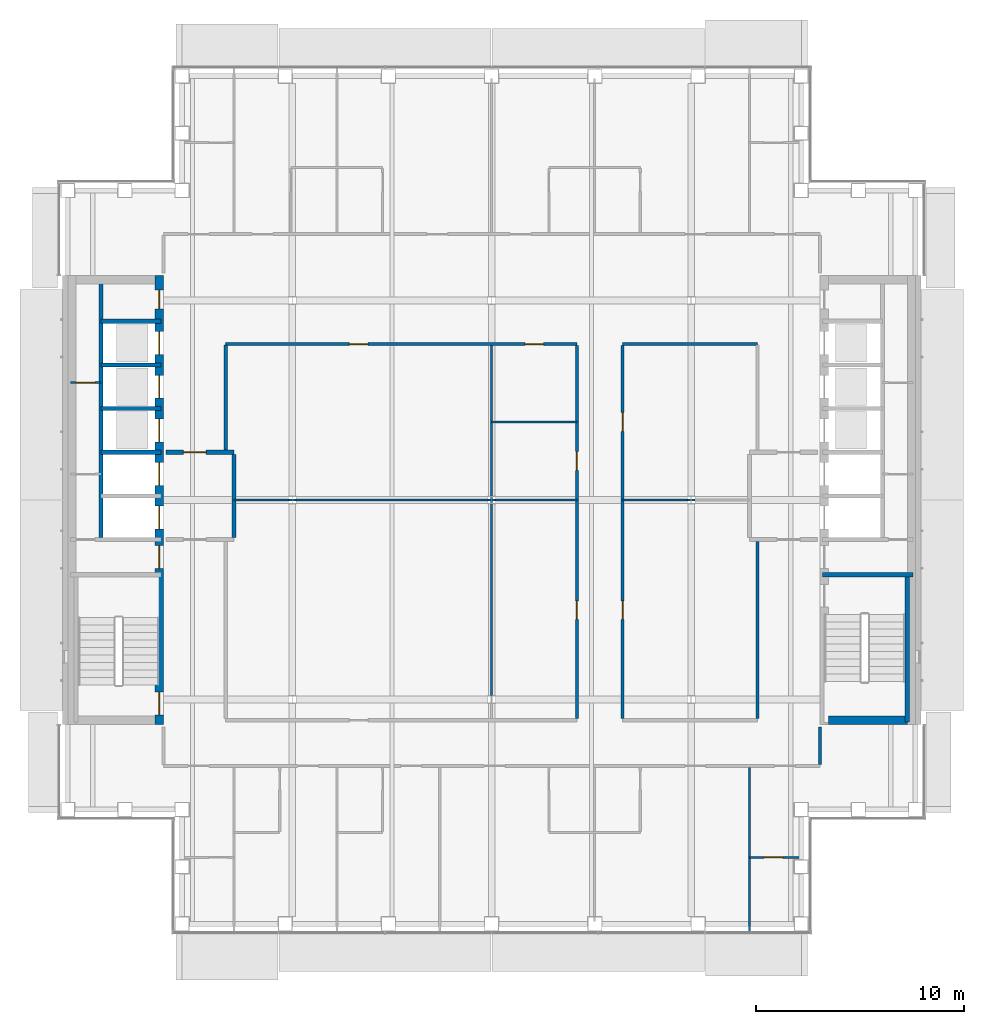
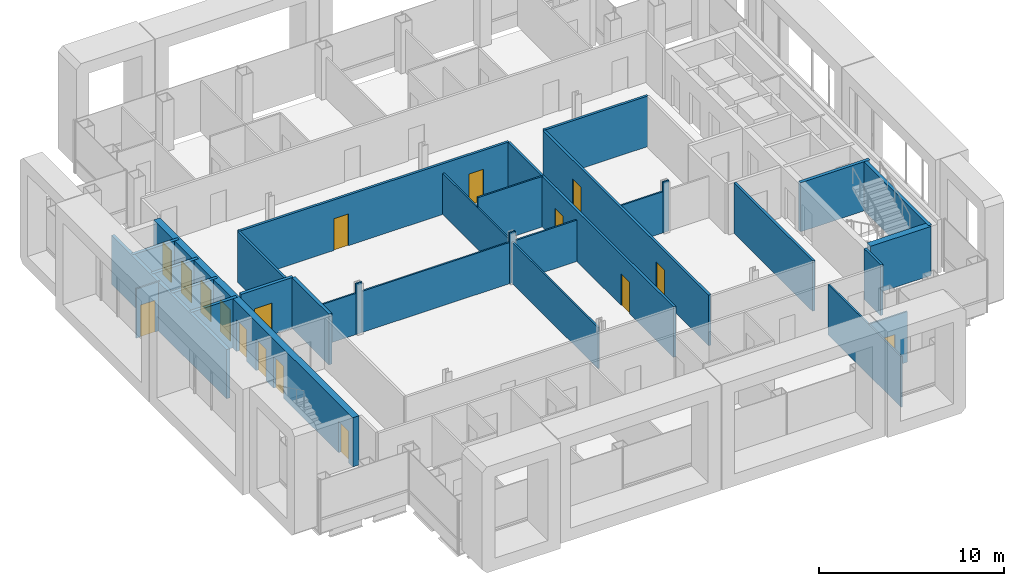
# One storey, part 10 of 19: 31 walls, 17 doors, 17 openings.
"""IFC4 building model written with IfcOpenShell, lengths in metres."""

from ifc_helpers import new_model, si_unit, direction, frame, frame_2d, origin, place, context, subcontext, project, spatial, rectangle, extrude, material, layer, layer_set, type_object, element, fill, save


model = new_model("IFC4")

# Units and contexts
model_context = context("Model", 3, precision=1e-05, world=origin(), true_north=direction((0.0, 1.0)))
body_context = subcontext(model_context, "Body", "Model", "MODEL_VIEW")
ifc_project = project(units=[si_unit("LENGTHUNIT", "METRE"), si_unit("AREAUNIT", "SQUARE_METRE"), si_unit("VOLUMEUNIT", "CUBIC_METRE"), si_unit("PLANEANGLEUNIT", "RADIAN"), si_unit("MASSUNIT", "GRAM", prefix="KILO")], contexts=[model_context])

# Site, building, storey
site_placement = place(None, origin())
site = spatial("IfcSite", under=ifc_project, at=site_placement, CompositionType="ELEMENT")
building_placement = place(site_placement, origin())
building = spatial("IfcBuilding", under=site, at=building_placement, Name="Cobrizo Arcos Hotel Tower", CompositionType="ELEMENT")
storey_placement = place(building_placement, frame((0.0, 0.0, 198.0)))
storey = spatial("IfcBuildingStorey", under=building, at=storey_placement, Name="L51", CompositionType="ELEMENT", Elevation=198.0)

# Wall, openings, doors
ifc_material_1 = material(Name="Gypsum board partition")
ifc_layer_1 = layer(ifc_material_1, 0.14990234375)
ifc_layer_set_1 = layer_set([ifc_layer_1], Name="Corridor wall EI 60 150")
wall_type_1 = type_object("IfcWallType", Name="Corridor wall EI 60 150", PredefinedType="PARTITIONING", material=ifc_layer_set_1)
wall_1_placement = place(storey_placement, frame((-12.800048828125, 7.5, 0.0), z_axis=(0.0, 0.0, 1.0), x_axis=(1.0, 0.0, 0.0)))
wall_1 = element("IfcWall", 1, at=wall_1_placement, inside=storey, type_object=wall_type_1, Name="Partition 038", PredefinedType="PARTITIONING", context=body_context, shape_type="SweptSolid", body=[
    extrude(rectangle(XDim=16.900146484375, YDim=0.14990234375, at=frame_2d((8.4501953125, 0.0))), origin(), (0.0, 0.0, 1.0), 3.35009765625),
])
opening_1_placement = place(wall_1_placement, frame((14.39990234375, 0.0, 0.0)))
opening_1 = element("IfcOpeningElement", 2, at=opening_1_placement, cuts=wall_1, Name="Opening ED-14", PredefinedType="OPENING", context=body_context, shape_type="SweptSolid", body=[
    extrude(rectangle(XDim=0.89990234375, YDim=2.10009765625, at=frame_2d((0.449951171875, 1.050048828125))), frame((0.0, 0.0869140625, 0.0), z_axis=(0.0, -1.0, 0.0), x_axis=(1.0, 0.0, 0.0)), (0.0, 0.0, 1.0), 0.173828125),
])
opening_2_placement = place(wall_1_placement, frame((5.949951171875, 0.0, 0.0)))
opening_2 = element("IfcOpeningElement", 3, at=opening_2_placement, cuts=wall_1, Name="Opening RD-12", PredefinedType="OPENING", context=body_context, shape_type="SweptSolid", body=[
    extrude(rectangle(XDim=0.89990234375, YDim=2.10009765625, at=frame_2d((0.449951171875, 1.050048828125))), frame((0.0, 0.0869140625, 0.0), z_axis=(0.0, -1.0, 0.0), x_axis=(1.0, 0.0, 0.0)), (0.0, 0.0, 1.0), 0.173828125),
])
ifc_material_2 = material(Name="Timber door leaf", Category="wood")
door_type_1 = type_object("IfcDoorType", Name="En-suite door 900x2100", OperationType="SINGLE_SWING_LEFT", PredefinedType="DOOR", material=ifc_material_2)
door_1_placement = place(opening_1_placement, origin())
door_1 = element("IfcDoor", 4, at=door_1_placement, inside=storey, type_object=door_type_1, Name="Door ED-14", OperationType="SINGLE_SWING_RIGHT", OverallHeight=2.10009765625, OverallWidth=0.89990234375, PredefinedType="DOOR", context=body_context, shape_type="SweptSolid", body=[
    extrude(rectangle(XDim=0.89990234375, YDim=2.10009765625, at=frame_2d((0.449951171875, 1.050048828125))), frame((0.0, 0.02490234375, 0.0), z_axis=(0.0, -1.0, 0.0), x_axis=(1.0, 0.0, 0.0)), (0.0, 0.0, 1.0), 0.050048828125),
])
fill(opening_1, door_1)
door_type_2 = type_object("IfcDoorType", Name="Room door FD30 900x2100", OperationType="SINGLE_SWING_LEFT", PredefinedType="DOOR", material=ifc_material_2)
door_2_placement = place(opening_2_placement, origin())
door_2 = element("IfcDoor", 5, at=door_2_placement, inside=storey, type_object=door_type_2, Name="Door RD-12", OperationType="SINGLE_SWING_RIGHT", OverallHeight=2.10009765625, OverallWidth=0.89990234375, PredefinedType="DOOR", context=body_context, shape_type="SweptSolid", body=[
    extrude(rectangle(XDim=0.89990234375, YDim=2.10009765625, at=frame_2d((0.449951171875, 1.050048828125))), frame((0.0, 0.02490234375, 0.0), z_axis=(0.0, -1.0, 0.0), x_axis=(1.0, 0.0, 0.0)), (0.0, 0.0, 1.0), 0.050048828125),
])
fill(opening_2, door_2)

# Walls
wall_2_placement = place(storey_placement, frame((6.300048828125, 7.5, 0.0), z_axis=(0.0, 0.0, 1.0), x_axis=(1.0, 0.0, 0.0)))
element("IfcWall", 6, at=wall_2_placement, inside=storey, type_object=wall_type_1, Name="Partition 039", PredefinedType="PARTITIONING", context=body_context, shape_type="SweptSolid", body=[
    extrude(rectangle(XDim=6.5, YDim=0.14990234375, at=frame_2d((3.25, 0.0))), origin(), (0.0, 0.0, 1.0), 3.35009765625),
])
wall_3_placement = place(storey_placement, frame((-12.800048828125, 2.39990234375, 0.0), z_axis=(0.0, 0.0, 1.0), x_axis=(0.0, 1.0, 0.0)))
element("IfcWall", 7, at=wall_3_placement, inside=storey, type_object=wall_type_1, Name="Partition 052", PredefinedType="PARTITIONING", context=body_context, shape_type="SweptSolid", body=[
    extrude(rectangle(XDim=5.050048828125, YDim=0.14990234375, at=frame_2d((2.52490234375, 0.0))), origin(), (0.0, 0.0, 1.0), 3.35009765625),
])

# Wall, openings, doors
wall_4_placement = place(storey_placement, frame((4.10009765625, -10.52490234375, 0.0), z_axis=(0.0, 0.0, 1.0), x_axis=(0.0, 1.0, 0.0)))
wall_4 = element("IfcWall", 8, at=wall_4_placement, inside=storey, type_object=wall_type_1, Name="Partition 071", PredefinedType="PARTITIONING", context=body_context, shape_type="SweptSolid", body=[
    extrude(rectangle(XDim=17.949951171875, YDim=0.14990234375, at=frame_2d((8.97509765625, 0.0))), origin(), (0.0, 0.0, 1.0), 3.35009765625),
])
opening_3_placement = place(wall_4_placement, frame((11.949951171875, 0.0, 0.0)))
opening_3 = element("IfcOpeningElement", 9, at=opening_3_placement, cuts=wall_4, Name="Opening ED-13", PredefinedType="OPENING", context=body_context, shape_type="SweptSolid", body=[
    extrude(rectangle(XDim=0.89990234375, YDim=2.10009765625, at=frame_2d((0.449951171875, 1.050048828125))), frame((0.0, 0.0869140625, 0.0), z_axis=(0.0, -1.0, 0.0), x_axis=(1.0, 0.0, 0.0)), (0.0, 0.0, 1.0), 0.173828125),
])
opening_4_placement = place(wall_4_placement, frame((4.77490234375, 0.0, 0.0)))
opening_4 = element("IfcOpeningElement", 10, at=opening_4_placement, cuts=wall_4, Name="Opening RD-09", PredefinedType="OPENING", context=body_context, shape_type="SweptSolid", body=[
    extrude(rectangle(XDim=0.89990234375, YDim=2.10009765625, at=frame_2d((0.449951171875, 1.050048828125))), frame((0.0, 0.0869140625, 0.0), z_axis=(0.0, -1.0, 0.0), x_axis=(1.0, 0.0, 0.0)), (0.0, 0.0, 1.0), 0.173828125),
])
door_3_placement = place(opening_3_placement, origin())
door_3 = element("IfcDoor", 11, at=door_3_placement, inside=storey, type_object=door_type_1, Name="Door ED-13", OperationType="SINGLE_SWING_RIGHT", OverallHeight=2.10009765625, OverallWidth=0.89990234375, PredefinedType="DOOR", context=body_context, shape_type="SweptSolid", body=[
    extrude(rectangle(XDim=0.89990234375, YDim=2.10009765625, at=frame_2d((0.449951171875, 1.050048828125))), frame((0.0, 0.02490234375, 0.0), z_axis=(0.0, -1.0, 0.0), x_axis=(1.0, 0.0, 0.0)), (0.0, 0.0, 1.0), 0.050048828125),
])
fill(opening_3, door_3)
door_4_placement = place(opening_4_placement, origin())
door_4 = element("IfcDoor", 12, at=door_4_placement, inside=storey, type_object=door_type_2, Name="Door RD-09", OperationType="SINGLE_SWING_RIGHT", OverallHeight=2.10009765625, OverallWidth=0.89990234375, PredefinedType="DOOR", context=body_context, shape_type="SweptSolid", body=[
    extrude(rectangle(XDim=0.89990234375, YDim=2.10009765625, at=frame_2d((0.449951171875, 1.050048828125))), frame((0.0, 0.02490234375, 0.0), z_axis=(0.0, -1.0, 0.0), x_axis=(1.0, 0.0, 0.0)), (0.0, 0.0, 1.0), 0.050048828125),
])
fill(opening_4, door_4)

wall_5_placement = place(storey_placement, frame((6.300048828125, -10.52490234375, 0.0), z_axis=(0.0, 0.0, 1.0), x_axis=(0.0, 1.0, 0.0)))
wall_5 = element("IfcWall", 13, at=wall_5_placement, inside=storey, type_object=wall_type_1, Name="Partition 076", PredefinedType="PARTITIONING", context=body_context, shape_type="SweptSolid", body=[
    extrude(rectangle(XDim=17.949951171875, YDim=0.14990234375, at=frame_2d((8.97509765625, 0.0))), origin(), (0.0, 0.0, 1.0), 3.35009765625),
])
opening_5_placement = place(wall_5_placement, frame((13.824951171875, 0.0, 0.0)))
opening_5 = element("IfcOpeningElement", 14, at=opening_5_placement, cuts=wall_5, Name="Opening RD-10", PredefinedType="OPENING", context=body_context, shape_type="SweptSolid", body=[
    extrude(rectangle(XDim=0.89990234375, YDim=2.10009765625, at=frame_2d((0.449951171875, 1.050048828125))), frame((0.0, 0.0869140625, 0.0), z_axis=(0.0, -1.0, 0.0), x_axis=(1.0, 0.0, 0.0)), (0.0, 0.0, 1.0), 0.173828125),
])
opening_6_placement = place(wall_5_placement, frame((4.77490234375, 0.0, 0.0)))
opening_6 = element("IfcOpeningElement", 15, at=opening_6_placement, cuts=wall_5, Name="Opening RD-11", PredefinedType="OPENING", context=body_context, shape_type="SweptSolid", body=[
    extrude(rectangle(XDim=0.89990234375, YDim=2.10009765625, at=frame_2d((0.449951171875, 1.050048828125))), frame((0.0, 0.0869140625, 0.0), z_axis=(0.0, -1.0, 0.0), x_axis=(1.0, 0.0, 0.0)), (0.0, 0.0, 1.0), 0.173828125),
])
door_5_placement = place(opening_5_placement, origin())
door_5 = element("IfcDoor", 16, at=door_5_placement, inside=storey, type_object=door_type_2, Name="Door RD-10", OperationType="SINGLE_SWING_RIGHT", OverallHeight=2.10009765625, OverallWidth=0.89990234375, PredefinedType="DOOR", context=body_context, shape_type="SweptSolid", body=[
    extrude(rectangle(XDim=0.89990234375, YDim=2.10009765625, at=frame_2d((0.449951171875, 1.050048828125))), frame((0.0, 0.02490234375, 0.0), z_axis=(0.0, -1.0, 0.0), x_axis=(1.0, 0.0, 0.0)), (0.0, 0.0, 1.0), 0.050048828125),
])
fill(opening_5, door_5)
door_6_placement = place(opening_6_placement, origin())
door_6 = element("IfcDoor", 17, at=door_6_placement, inside=storey, type_object=door_type_2, Name="Door RD-11", OperationType="SINGLE_SWING_LEFT", OverallHeight=2.10009765625, OverallWidth=0.89990234375, PredefinedType="DOOR", context=body_context, shape_type="SweptSolid", body=[
    extrude(rectangle(XDim=0.89990234375, YDim=2.10009765625, at=frame_2d((0.449951171875, 1.050048828125))), frame((0.0, 0.02490234375, 0.0), z_axis=(0.0, -1.0, 0.0), x_axis=(1.0, 0.0, 0.0)), (0.0, 0.0, 1.0), 0.050048828125),
])
fill(opening_6, door_6)

# Walls
wall_6_placement = place(storey_placement, frame((12.800048828125, -10.52490234375, 0.0), z_axis=(0.0, 0.0, 1.0), x_axis=(0.0, 1.0, 0.0)))
element("IfcWall", 18, at=wall_6_placement, inside=storey, type_object=wall_type_1, Name="Partition 082", PredefinedType="PARTITIONING", context=body_context, shape_type="SweptSolid", body=[
    extrude(rectangle(XDim=8.52490234375, YDim=0.14990234375, at=frame_2d((4.262451171875, 0.0))), origin(), (0.0, 0.0, 1.0), 3.35009765625),
])
wall_7_placement = place(storey_placement, frame((15.800048828125, -12.72509765625, 0.0), z_axis=(0.0, 0.0, 1.0), x_axis=(0.0, 1.0, 0.0)))
element("IfcWall", 19, at=wall_7_placement, inside=storey, type_object=wall_type_1, Name="Partition 084", PredefinedType="PARTITIONING", context=body_context, shape_type="SweptSolid", body=[
    extrude(rectangle(XDim=1.80517578125, YDim=0.14990234375, at=frame_2d((0.902587890625, 0.0))), origin(), (0.0, 0.0, 1.0), 3.35009765625),
])

# Wall, opening, door
ifc_layer_2 = layer(ifc_material_1, 0.10009765625)
ifc_layer_set_2 = layer_set([ifc_layer_2], Name="Partition EI 30 100")
wall_type_2 = type_object("IfcWallType", Name="Partition EI 30 100", PredefinedType="PARTITIONING", material=ifc_layer_set_2)
wall_8_placement = place(storey_placement, frame((12.39990234375, -17.199951171875, 0.0), z_axis=(0.0, 0.0, 1.0), x_axis=(1.0, 0.0, 0.0)))
wall_8 = element("IfcWall", 20, at=wall_8_placement, inside=storey, type_object=wall_type_2, Name="Partition 002", PredefinedType="PARTITIONING", context=body_context, shape_type="SweptSolid", body=[
    extrude(rectangle(XDim=2.380126953125, YDim=0.10009765625, at=frame_2d((1.18994140625, 0.0))), origin(), (0.0, 0.0, 1.0), 3.35009765625),
])
opening_7_placement = place(wall_8_placement, frame((0.705078125, 0.0, 0.0)))
opening_7 = element("IfcOpeningElement", 21, at=opening_7_placement, cuts=wall_8, Name="Opening ED-11", PredefinedType="OPENING", context=body_context, shape_type="SweptSolid", body=[
    extrude(rectangle(XDim=0.89990234375, YDim=2.10009765625, at=frame_2d((0.449951171875, 1.050048828125))), frame((0.0, 0.06201171875, 0.0), z_axis=(0.0, -1.0, 0.0), x_axis=(1.0, 0.0, 0.0)), (0.0, 0.0, 1.0), 0.1240234375),
])
door_7_placement = place(opening_7_placement, origin())
door_7 = element("IfcDoor", 22, at=door_7_placement, inside=storey, type_object=door_type_1, Name="Door ED-11", OperationType="SINGLE_SWING_LEFT", OverallHeight=2.10009765625, OverallWidth=0.89990234375, PredefinedType="DOOR", context=body_context, shape_type="SweptSolid", body=[
    extrude(rectangle(XDim=0.89990234375, YDim=2.10009765625, at=frame_2d((0.449951171875, 1.050048828125))), frame((0.0, 0.02490234375, 0.0), z_axis=(0.0, -1.0, 0.0), x_axis=(1.0, 0.0, 0.0)), (0.0, 0.0, 1.0), 0.050048828125),
])
fill(opening_7, door_7)

# Walls
wall_9_placement = place(storey_placement, frame((-12.39990234375, 0.0, 0.0), z_axis=(0.0, 0.0, 1.0), x_axis=(1.0, 0.0, 0.0)))
element("IfcWall", 23, at=wall_9_placement, inside=storey, type_object=wall_type_2, Name="Partition 015", PredefinedType="PARTITIONING", context=body_context, shape_type="SweptSolid", body=[
    extrude(rectangle(XDim=2.61279296875, YDim=0.10009765625, at=frame_2d((1.306396484375, 0.0))), origin(), (0.0, 0.0, 1.0), 2.72802734375),
])
wall_10_placement = place(storey_placement, frame((-9.787109375, 0.0, 0.0), z_axis=(0.0, 0.0, 1.0), x_axis=(1.0, 0.0, 0.0)))
element("IfcWall", 24, at=wall_10_placement, inside=storey, type_object=wall_type_2, Name="Partition 016", PredefinedType="PARTITIONING", context=body_context, shape_type="SweptSolid", body=[
    extrude(rectangle(XDim=0.3740234375, YDim=0.10009765625, at=frame_2d((0.18701171875, 0.0))), origin(), (0.0, 0.0, 1.0), 3.35009765625),
])
wall_11_placement = place(storey_placement, frame((-9.4130859375, 0.0, 0.0), z_axis=(0.0, 0.0, 1.0), x_axis=(1.0, 0.0, 0.0)))
element("IfcWall", 25, at=wall_11_placement, inside=storey, type_object=wall_type_2, Name="Partition 017", PredefinedType="PARTITIONING", context=body_context, shape_type="SweptSolid", body=[
    extrude(rectangle(XDim=9.22607421875, YDim=0.10009765625, at=frame_2d((4.613037109375, 0.0))), origin(), (0.0, 0.0, 1.0), 2.72802734375),
])
wall_12_placement = place(storey_placement, frame((-0.18701171875, 0.0, 0.0), z_axis=(0.0, 0.0, 1.0), x_axis=(1.0, 0.0, 0.0)))
element("IfcWall", 26, at=wall_12_placement, inside=storey, type_object=wall_type_2, Name="Partition 018", PredefinedType="PARTITIONING", context=body_context, shape_type="SweptSolid", body=[
    extrude(rectangle(XDim=0.3740234375, YDim=0.10009765625, at=frame_2d((0.18701171875, 0.0))), origin(), (0.0, 0.0, 1.0), 3.35009765625),
])
wall_13_placement = place(storey_placement, frame((0.18701171875, 0.0, 0.0), z_axis=(0.0, 0.0, 1.0), x_axis=(1.0, 0.0, 0.0)))
element("IfcWall", 27, at=wall_13_placement, inside=storey, type_object=wall_type_2, Name="Partition 019", PredefinedType="PARTITIONING", context=body_context, shape_type="SweptSolid", body=[
    extrude(rectangle(XDim=3.9130859375, YDim=0.10009765625, at=frame_2d((1.95654296875, 0.0))), origin(), (0.0, 0.0, 1.0), 2.72802734375),
])
wall_14_placement = place(storey_placement, frame((6.300048828125, 0.0, 0.0), z_axis=(0.0, 0.0, 1.0), x_axis=(1.0, 0.0, 0.0)))
element("IfcWall", 28, at=wall_14_placement, inside=storey, type_object=wall_type_2, Name="Partition 020", PredefinedType="PARTITIONING", context=body_context, shape_type="SweptSolid", body=[
    extrude(rectangle(XDim=3.113037109375, YDim=0.10009765625, at=frame_2d((1.556640625, 0.0))), origin(), (0.0, 0.0, 1.0), 2.72802734375),
])
wall_15_placement = place(storey_placement, frame((9.4130859375, 0.0, 0.0), z_axis=(0.0, 0.0, 1.0), x_axis=(1.0, 0.0, 0.0)))
element("IfcWall", 29, at=wall_15_placement, inside=storey, type_object=wall_type_2, Name="Partition 021", PredefinedType="PARTITIONING", context=body_context, shape_type="SweptSolid", body=[
    extrude(rectangle(XDim=0.3740234375, YDim=0.10009765625, at=frame_2d((0.18701171875, 0.0))), origin(), (0.0, 0.0, 1.0), 3.35009765625),
])
wall_16_placement = place(storey_placement, frame((0.0, 3.75, 0.0), z_axis=(0.0, 0.0, 1.0), x_axis=(1.0, 0.0, 0.0)))
element("IfcWall", 30, at=wall_16_placement, inside=storey, type_object=wall_type_2, Name="Partition 031", PredefinedType="PARTITIONING", context=body_context, shape_type="SweptSolid", body=[
    extrude(rectangle(XDim=4.10009765625, YDim=0.10009765625, at=frame_2d((2.050048828125, 0.0))), origin(), (0.0, 0.0, 1.0), 3.35009765625),
])

# Wall, opening, door
wall_17_placement = place(storey_placement, frame((-20.280029296875, 5.64990234375, 0.0), z_axis=(0.0, 0.0, 1.0), x_axis=(1.0, 0.0, 0.0)))
wall_17 = element("IfcWall", 31, at=wall_17_placement, inside=storey, type_object=wall_type_2, Name="Partition 034", PredefinedType="PARTITIONING", context=body_context, shape_type="SweptSolid", body=[
    extrude(rectangle(XDim=1.47998046875, YDim=0.10009765625, at=frame_2d((0.739990234375, 0.0))), origin(), (0.0, 0.0, 1.0), 3.25),
])
opening_8_placement = place(wall_17_placement, frame((0.280029296875, 0.0, 0.0)))
opening_8 = element("IfcOpeningElement", 32, at=opening_8_placement, cuts=wall_17, Name="Opening RD-04", PredefinedType="OPENING", context=body_context, shape_type="SweptSolid", body=[
    extrude(rectangle(XDim=0.89990234375, YDim=2.10009765625, at=frame_2d((0.449951171875, 1.050048828125))), frame((0.0, 0.06201171875, 0.0), z_axis=(0.0, -1.0, 0.0), x_axis=(1.0, 0.0, 0.0)), (0.0, 0.0, 1.0), 0.1240234375),
])
door_8_placement = place(opening_8_placement, origin())
door_8 = element("IfcDoor", 33, at=door_8_placement, inside=storey, type_object=door_type_2, Name="Door RD-04", OperationType="SINGLE_SWING_LEFT", OverallHeight=2.10009765625, OverallWidth=0.89990234375, PredefinedType="DOOR", context=body_context, shape_type="SweptSolid", body=[
    extrude(rectangle(XDim=0.89990234375, YDim=2.10009765625, at=frame_2d((0.449951171875, 1.050048828125))), frame((0.0, 0.02490234375, 0.0), z_axis=(0.0, -1.0, 0.0), x_axis=(1.0, 0.0, 0.0)), (0.0, 0.0, 1.0), 0.050048828125),
])
fill(opening_8, door_8)

# Walls
wall_18_placement = place(storey_placement, frame((0.0, -9.4130859375, 0.0), z_axis=(0.0, 0.0, 1.0), x_axis=(0.0, 1.0, 0.0)))
element("IfcWall", 34, at=wall_18_placement, inside=storey, type_object=wall_type_2, Name="Partition 066", PredefinedType="PARTITIONING", context=body_context, shape_type="SweptSolid", body=[
    extrude(rectangle(XDim=9.363037109375, YDim=0.10009765625, at=frame_2d((4.681640625, 0.0))), origin(), (0.0, 0.0, 1.0), 2.72802734375),
])
wall_19_placement = place(storey_placement, frame((0.0, 0.050048828125, 0.0), z_axis=(0.0, 0.0, 1.0), x_axis=(0.0, 1.0, 0.0)))
element("IfcWall", 35, at=wall_19_placement, inside=storey, type_object=wall_type_2, Name="Partition 067", PredefinedType="PARTITIONING", context=body_context, shape_type="SweptSolid", body=[
    extrude(rectangle(XDim=7.375, YDim=0.10009765625, at=frame_2d((3.6875, 0.0))), origin(), (0.0, 0.0, 1.0), 2.72802734375),
])
wall_20_placement = place(storey_placement, frame((12.39990234375, -20.780029296875, 0.0), z_axis=(0.0, 0.0, 1.0), x_axis=(0.0, 1.0, 0.0)))
element("IfcWall", 36, at=wall_20_placement, inside=storey, type_object=wall_type_2, Name="Partition 079", PredefinedType="PARTITIONING", context=body_context, shape_type="SweptSolid", body=[
    extrude(rectangle(XDim=7.905029296875, YDim=0.10009765625, at=frame_2d((3.95263671875, 0.0))), origin(), (0.0, 0.0, 1.0), 3.35009765625),
])
ifc_material_3 = material(Name="Concrete f'c 40 MPa", Category="concrete")
ifc_layer_3 = layer(ifc_material_3, 0.39990234375)
ifc_layer_set_3 = layer_set([ifc_layer_3], Name="RC core wall 400 f'c 40")
wall_type_3 = type_object("IfcWallType", Name="RC core wall 400 f'c 40", PredefinedType="SHEAR", material=ifc_layer_set_3)
wall_21_placement = place(storey_placement, frame((16.199951171875, -10.60009765625, 0.0), z_axis=(0.0, 0.0, 1.0), x_axis=(1.0, 0.0, 0.0)))
element("IfcWall", 37, at=wall_21_placement, inside=storey, type_object=wall_type_3, Name="Core wall CW4, east core, south end, L51", PredefinedType="SHEAR", context=body_context, shape_type="SweptSolid", body=[
    extrude(rectangle(XDim=3.800048828125, YDim=0.39990234375, at=frame_2d((1.89990234375, 0.0))), origin(), (0.0, 0.0, 1.0), 3.25),
])

# Wall, openings, doors
wall_22_placement = place(storey_placement, frame((-16.0, -10.800048828125, 0.0), z_axis=(0.0, 0.0, 1.0), x_axis=(0.0, 1.0, 0.0)))
wall_22 = element("IfcWall", 38, at=wall_22_placement, inside=storey, type_object=wall_type_3, Name="Core wall CW4, west core, inner face, L51", PredefinedType="SHEAR", context=body_context, shape_type="SweptSolid", body=[
    extrude(rectangle(XDim=21.60009765625, YDim=0.39990234375, at=frame_2d((10.800048828125, 0.0))), origin(), (0.0, 0.0, 1.0), 3.25),
])
opening_9_placement = place(wall_22_placement, frame((9.39990234375, 0.0, 0.0)))
opening_9 = element("IfcOpeningElement", 39, at=opening_9_placement, cuts=wall_22, Name="Opening LD-01", PredefinedType="OPENING", context=body_context, shape_type="SweptSolid", body=[
    extrude(rectangle(XDim=1.10009765625, YDim=2.10009765625, at=frame_2d((0.550048828125, 1.050048828125))), frame((0.0, 0.2119140625, 0.0), z_axis=(0.0, -1.0, 0.0), x_axis=(1.0, 0.0, 0.0)), (0.0, 0.0, 1.0), 0.423828125),
])
opening_10_placement = place(wall_22_placement, frame((11.5, 0.0, 0.0)))
opening_10 = element("IfcOpeningElement", 40, at=opening_10_placement, cuts=wall_22, Name="Opening LD-02", PredefinedType="OPENING", context=body_context, shape_type="SweptSolid", body=[
    extrude(rectangle(XDim=1.10009765625, YDim=2.10009765625, at=frame_2d((0.550048828125, 1.050048828125))), frame((0.0, 0.2119140625, 0.0), z_axis=(0.0, -1.0, 0.0), x_axis=(1.0, 0.0, 0.0)), (0.0, 0.0, 1.0), 0.423828125),
])
opening_11_placement = place(wall_22_placement, frame((13.60009765625, 0.0, 0.0)))
opening_11 = element("IfcOpeningElement", 41, at=opening_11_placement, cuts=wall_22, Name="Opening LD-03", PredefinedType="OPENING", context=body_context, shape_type="SweptSolid", body=[
    extrude(rectangle(XDim=1.10009765625, YDim=2.10009765625, at=frame_2d((0.550048828125, 1.050048828125))), frame((0.0, 0.2119140625, 0.0), z_axis=(0.0, -1.0, 0.0), x_axis=(1.0, 0.0, 0.0)), (0.0, 0.0, 1.0), 0.423828125),
])
opening_12_placement = place(wall_22_placement, frame((15.699951171875, 0.0, 0.0)))
opening_12 = element("IfcOpeningElement", 42, at=opening_12_placement, cuts=wall_22, Name="Opening LD-04", PredefinedType="OPENING", context=body_context, shape_type="SweptSolid", body=[
    extrude(rectangle(XDim=1.10009765625, YDim=2.10009765625, at=frame_2d((0.550048828125, 1.050048828125))), frame((0.0, 0.2119140625, 0.0), z_axis=(0.0, -1.0, 0.0), x_axis=(1.0, 0.0, 0.0)), (0.0, 0.0, 1.0), 0.423828125),
])
opening_13_placement = place(wall_22_placement, frame((17.800048828125, 0.0, 0.0)))
opening_13 = element("IfcOpeningElement", 43, at=opening_13_placement, cuts=wall_22, Name="Opening LD-05", PredefinedType="OPENING", context=body_context, shape_type="SweptSolid", body=[
    extrude(rectangle(XDim=1.10009765625, YDim=2.10009765625, at=frame_2d((0.550048828125, 1.050048828125))), frame((0.0, 0.2119140625, 0.0), z_axis=(0.0, -1.0, 0.0), x_axis=(1.0, 0.0, 0.0)), (0.0, 0.0, 1.0), 0.423828125),
])
opening_14_placement = place(wall_22_placement, frame((0.4580078125, 0.0, 0.0)))
opening_14 = element("IfcOpeningElement", 44, at=opening_14_placement, cuts=wall_22, Name="Opening SD-01", PredefinedType="OPENING", context=body_context, shape_type="SweptSolid", body=[
    extrude(rectangle(XDim=1.10009765625, YDim=2.10009765625, at=frame_2d((0.550048828125, 1.050048828125))), frame((0.0, 0.2119140625, 0.0), z_axis=(0.0, -1.0, 0.0), x_axis=(1.0, 0.0, 0.0)), (0.0, 0.0, 1.0), 0.423828125),
])
opening_15_placement = place(wall_22_placement, frame((7.5, 0.0, 0.0)))
opening_15 = element("IfcOpeningElement", 45, at=opening_15_placement, cuts=wall_22, Name="Opening FD-01", PredefinedType="OPENING", context=body_context, shape_type="SweptSolid", body=[
    extrude(rectangle(XDim=1.10009765625, YDim=2.10009765625, at=frame_2d((0.550048828125, 1.050048828125))), frame((0.0, 0.2119140625, 0.0), z_axis=(0.0, -1.0, 0.0), x_axis=(1.0, 0.0, 0.0)), (0.0, 0.0, 1.0), 0.423828125),
])
opening_16_placement = place(wall_22_placement, frame((20.0, 0.0, 0.0)))
opening_16 = element("IfcOpeningElement", 46, at=opening_16_placement, cuts=wall_22, Name="Opening RD-01", PredefinedType="OPENING", context=body_context, shape_type="SweptSolid", body=[
    extrude(rectangle(XDim=0.89990234375, YDim=2.10009765625, at=frame_2d((0.449951171875, 1.050048828125))), frame((0.0, 0.2119140625, 0.0), z_axis=(0.0, -1.0, 0.0), x_axis=(1.0, 0.0, 0.0)), (0.0, 0.0, 1.0), 0.423828125),
])
ifc_material_4 = material(Name="Steel door leaf", Category="steel")
door_type_3 = type_object("IfcDoorType", Name="Fire door FD60 1100x2100", OperationType="SINGLE_SWING_LEFT", PredefinedType="DOOR", material=ifc_material_4)
door_9_placement = place(opening_15_placement, origin())
door_9 = element("IfcDoor", 47, at=door_9_placement, inside=storey, type_object=door_type_3, Name="Door FD-01", OperationType="SINGLE_SWING_RIGHT", OverallHeight=2.10009765625, OverallWidth=1.10009765625, PredefinedType="DOOR", context=body_context, shape_type="SweptSolid", body=[
    extrude(rectangle(XDim=1.10009765625, YDim=2.10009765625, at=frame_2d((0.550048828125, 1.050048828125))), frame((0.0, 0.02490234375, 0.0), z_axis=(0.0, -1.0, 0.0), x_axis=(1.0, 0.0, 0.0)), (0.0, 0.0, 1.0), 0.050048828125),
])
fill(opening_15, door_9)
door_type_4 = type_object("IfcDoorType", Name="Lift landing door 1100x2100", OperationType="SLIDING_TO_LEFT", PredefinedType="DOOR", material=ifc_material_4)
door_10_placement = place(opening_9_placement, origin())
door_10 = element("IfcDoor", 48, at=door_10_placement, inside=storey, type_object=door_type_4, Name="Lift landing door LD-01", OperationType="SLIDING_TO_LEFT", OverallHeight=2.10009765625, OverallWidth=1.10009765625, PredefinedType="DOOR", context=body_context, shape_type="SweptSolid", body=[
    extrude(rectangle(XDim=1.10009765625, YDim=2.10009765625, at=frame_2d((0.550048828125, 1.050048828125))), frame((0.0, 0.02490234375, 0.0), z_axis=(0.0, -1.0, 0.0), x_axis=(1.0, 0.0, 0.0)), (0.0, 0.0, 1.0), 0.050048828125),
])
fill(opening_9, door_10)
door_11_placement = place(opening_10_placement, origin())
door_11 = element("IfcDoor", 49, at=door_11_placement, inside=storey, type_object=door_type_4, Name="Lift landing door LD-02", OperationType="SLIDING_TO_LEFT", OverallHeight=2.10009765625, OverallWidth=1.10009765625, PredefinedType="DOOR", context=body_context, shape_type="SweptSolid", body=[
    extrude(rectangle(XDim=1.10009765625, YDim=2.10009765625, at=frame_2d((0.550048828125, 1.050048828125))), frame((0.0, 0.02490234375, 0.0), z_axis=(0.0, -1.0, 0.0), x_axis=(1.0, 0.0, 0.0)), (0.0, 0.0, 1.0), 0.050048828125),
])
fill(opening_10, door_11)
door_12_placement = place(opening_11_placement, origin())
door_12 = element("IfcDoor", 50, at=door_12_placement, inside=storey, type_object=door_type_4, Name="Lift landing door LD-03", OperationType="SLIDING_TO_LEFT", OverallHeight=2.10009765625, OverallWidth=1.10009765625, PredefinedType="DOOR", context=body_context, shape_type="SweptSolid", body=[
    extrude(rectangle(XDim=1.10009765625, YDim=2.10009765625, at=frame_2d((0.550048828125, 1.050048828125))), frame((0.0, 0.02490234375, 0.0), z_axis=(0.0, -1.0, 0.0), x_axis=(1.0, 0.0, 0.0)), (0.0, 0.0, 1.0), 0.050048828125),
])
fill(opening_11, door_12)
door_13_placement = place(opening_12_placement, origin())
door_13 = element("IfcDoor", 51, at=door_13_placement, inside=storey, type_object=door_type_4, Name="Lift landing door LD-04", OperationType="SLIDING_TO_LEFT", OverallHeight=2.10009765625, OverallWidth=1.10009765625, PredefinedType="DOOR", context=body_context, shape_type="SweptSolid", body=[
    extrude(rectangle(XDim=1.10009765625, YDim=2.10009765625, at=frame_2d((0.550048828125, 1.050048828125))), frame((0.0, 0.02490234375, 0.0), z_axis=(0.0, -1.0, 0.0), x_axis=(1.0, 0.0, 0.0)), (0.0, 0.0, 1.0), 0.050048828125),
])
fill(opening_12, door_13)
door_14_placement = place(opening_13_placement, origin())
door_14 = element("IfcDoor", 52, at=door_14_placement, inside=storey, type_object=door_type_4, Name="Lift landing door LD-05", OperationType="SLIDING_TO_LEFT", OverallHeight=2.10009765625, OverallWidth=1.10009765625, PredefinedType="DOOR", context=body_context, shape_type="SweptSolid", body=[
    extrude(rectangle(XDim=1.10009765625, YDim=2.10009765625, at=frame_2d((0.550048828125, 1.050048828125))), frame((0.0, 0.02490234375, 0.0), z_axis=(0.0, -1.0, 0.0), x_axis=(1.0, 0.0, 0.0)), (0.0, 0.0, 1.0), 0.050048828125),
])
fill(opening_13, door_14)
door_15_placement = place(opening_16_placement, origin())
door_15 = element("IfcDoor", 53, at=door_15_placement, inside=storey, type_object=door_type_2, Name="Door RD-01", OperationType="SINGLE_SWING_RIGHT", OverallHeight=2.10009765625, OverallWidth=0.89990234375, PredefinedType="DOOR", context=body_context, shape_type="SweptSolid", body=[
    extrude(rectangle(XDim=0.89990234375, YDim=2.10009765625, at=frame_2d((0.449951171875, 1.050048828125))), frame((0.0, 0.02490234375, 0.0), z_axis=(0.0, -1.0, 0.0), x_axis=(1.0, 0.0, 0.0)), (0.0, 0.0, 1.0), 0.050048828125),
])
fill(opening_16, door_15)
door_type_5 = type_object("IfcDoorType", Name="Stair door FD60S 1100x2100", OperationType="SINGLE_SWING_LEFT", PredefinedType="DOOR", material=ifc_material_4)
door_16_placement = place(opening_14_placement, origin())
door_16 = element("IfcDoor", 54, at=door_16_placement, inside=storey, type_object=door_type_5, Name="Door SD-01", OperationType="SINGLE_SWING_RIGHT", OverallHeight=2.10009765625, OverallWidth=1.10009765625, PredefinedType="DOOR", context=body_context, shape_type="SweptSolid", body=[
    extrude(rectangle(XDim=1.10009765625, YDim=2.10009765625, at=frame_2d((0.550048828125, 1.050048828125))), frame((0.0, 0.02490234375, 0.0), z_axis=(0.0, -1.0, 0.0), x_axis=(1.0, 0.0, 0.0)), (0.0, 0.0, 1.0), 0.050048828125),
])
fill(opening_14, door_16)

# Wall
ifc_layer_4 = layer(ifc_material_1, 0.199951171875)
ifc_layer_set_4 = layer_set([ifc_layer_4], Name="Shaft wall EI 120 200")
wall_type_4 = type_object("IfcWallType", Name="Shaft wall EI 120 200", PredefinedType="PARTITIONING", material=ifc_layer_set_4)
wall_23_placement = place(storey_placement, frame((-18.800048828125, 2.300048828125, 0.0), z_axis=(0.0, 0.0, 1.0), x_axis=(1.0, 0.0, 0.0)))
element("IfcWall", 55, at=wall_23_placement, inside=storey, type_object=wall_type_4, Name="Partition 027", PredefinedType="PARTITIONING", context=body_context, shape_type="SweptSolid", body=[
    extrude(rectangle(XDim=2.880126953125, YDim=0.199951171875, at=frame_2d((1.43994140625, 0.0))), origin(), (0.0, 0.0, 1.0), 3.25),
])

# Wall, opening, door
wall_24_placement = place(storey_placement, frame((-15.679931640625, 2.300048828125, 0.0), z_axis=(0.0, 0.0, 1.0), x_axis=(1.0, 0.0, 0.0)))
wall_24 = element("IfcWall", 56, at=wall_24_placement, inside=storey, type_object=wall_type_4, Name="Partition 028", PredefinedType="PARTITIONING", context=body_context, shape_type="SweptSolid", body=[
    extrude(rectangle(XDim=3.280029296875, YDim=0.199951171875, at=frame_2d((1.64013671875, 0.0))), origin(), (0.0, 0.0, 1.0), 3.35009765625),
])
opening_17_placement = place(wall_24_placement, frame((0.840087890625, 0.0, 0.0)))
opening_17 = element("IfcOpeningElement", 57, at=opening_17_placement, cuts=wall_24, Name="Opening FD-02", PredefinedType="OPENING", context=body_context, shape_type="SweptSolid", body=[
    extrude(rectangle(XDim=1.10009765625, YDim=2.10009765625, at=frame_2d((0.550048828125, 1.050048828125))), frame((0.0, 0.112060546875, 0.0), z_axis=(0.0, -1.0, 0.0), x_axis=(1.0, 0.0, 0.0)), (0.0, 0.0, 1.0), 0.223876953125),
])
door_17_placement = place(opening_17_placement, origin())
door_17 = element("IfcDoor", 58, at=door_17_placement, inside=storey, type_object=door_type_3, Name="Door FD-02", OperationType="SINGLE_SWING_LEFT", OverallHeight=2.10009765625, OverallWidth=1.10009765625, PredefinedType="DOOR", context=body_context, shape_type="SweptSolid", body=[
    extrude(rectangle(XDim=1.10009765625, YDim=2.10009765625, at=frame_2d((0.550048828125, 1.050048828125))), frame((0.0, 0.02490234375, 0.0), z_axis=(0.0, -1.0, 0.0), x_axis=(1.0, 0.0, 0.0)), (0.0, 0.0, 1.0), 0.050048828125),
])
fill(opening_17, door_17)

# Walls
for number, where, z_axis, x_axis, name in (
    (59, (-18.800048828125, 4.39990234375, 0.0), (0.0, 0.0, 1.0), (1.0, 0.0, 0.0), "Partition 032"),
    (60, (-18.800048828125, 6.5, 0.0), (0.0, 0.0, 1.0), (1.0, 0.0, 0.0), "Partition 036"),
    (61, (-18.800048828125, 8.60009765625, 0.0), (0.0, 0.0, 1.0), (1.0, 0.0, 0.0), "Partition 040"),
):
    element("IfcWall", number, at=place(storey_placement, frame(where, z_axis=z_axis, x_axis=x_axis)), inside=storey, type_object=wall_type_4, Name=name, PredefinedType="PARTITIONING", context=body_context, shape_type="SweptSolid", body=[
        extrude(rectangle(XDim=2.880126953125, YDim=0.199951171875, at=frame_2d((1.43994140625, 0.0))), origin(), (0.0, 0.0, 1.0), 3.25),
    ])
wall_25_placement = place(storey_placement, frame((-18.800048828125, -1.800048828125, 0.0), z_axis=(0.0, 0.0, 1.0), x_axis=(0.0, 1.0, 0.0)))
element("IfcWall", 62, at=wall_25_placement, inside=storey, type_object=wall_type_4, Name="Partition 048", PredefinedType="PARTITIONING", context=body_context, shape_type="SweptSolid", body=[
    extrude(rectangle(XDim=12.47998046875, YDim=0.199951171875, at=frame_2d((6.239990234375, 0.0))), origin(), (0.0, 0.0, 1.0), 3.25),
])
wall_26_placement = place(storey_placement, frame((-12.39990234375, -1.800048828125, 0.0), z_axis=(0.0, 0.0, 1.0), x_axis=(0.0, 1.0, 0.0)))
element("IfcWall", 63, at=wall_26_placement, inside=storey, type_object=wall_type_4, Name="Partition 054", PredefinedType="PARTITIONING", context=body_context, shape_type="SweptSolid", body=[
    extrude(rectangle(XDim=4.0, YDim=0.199951171875, at=frame_2d((2.0, 0.0))), origin(), (0.0, 0.0, 1.0), 3.35009765625),
])
ifc_layer_5 = layer(ifc_material_3, 0.199951171875)
ifc_layer_set_5 = layer_set([ifc_layer_5], Name="Stair shaft wall 200")
wall_type_5 = type_object("IfcWallType", Name="Stair shaft wall 200", PredefinedType="SHEAR", material=ifc_layer_set_5)
wall_27_placement = place(storey_placement, frame((15.919921875, -3.60009765625, 0.0), z_axis=(0.0, 0.0, 1.0), x_axis=(1.0, 0.0, 0.0)))
element("IfcWall", 64, at=wall_27_placement, inside=storey, type_object=wall_type_5, Name="Stair shaft wall E", PredefinedType="SHEAR", context=body_context, shape_type="SweptSolid", body=[
    extrude(rectangle(XDim=4.360107421875, YDim=0.199951171875, at=frame_2d((2.18017578125, 0.0))), origin(), (0.0, 0.0, 1.0), 3.25),
])
wall_28_placement = place(storey_placement, frame((20.0, -10.679931640625, 0.0), z_axis=(0.0, 0.0, 1.0), x_axis=(0.0, 1.0, 0.0)))
element("IfcWall", 65, at=wall_28_placement, inside=storey, type_object=wall_type_5, Name="Stair shaft wall E", PredefinedType="SHEAR", context=body_context, shape_type="SweptSolid", body=[
    extrude(rectangle(XDim=6.97998046875, YDim=0.199951171875, at=frame_2d((3.489990234375, 0.0))), origin(), (0.0, 0.0, 1.0), 3.25),
])

save(model, "model.ifc")
